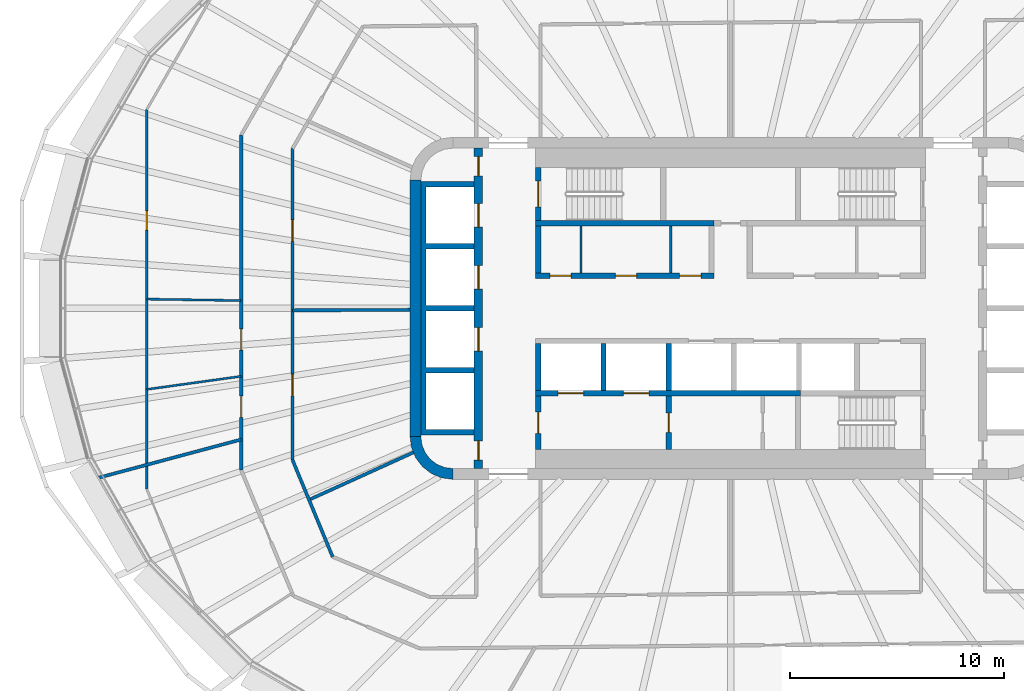
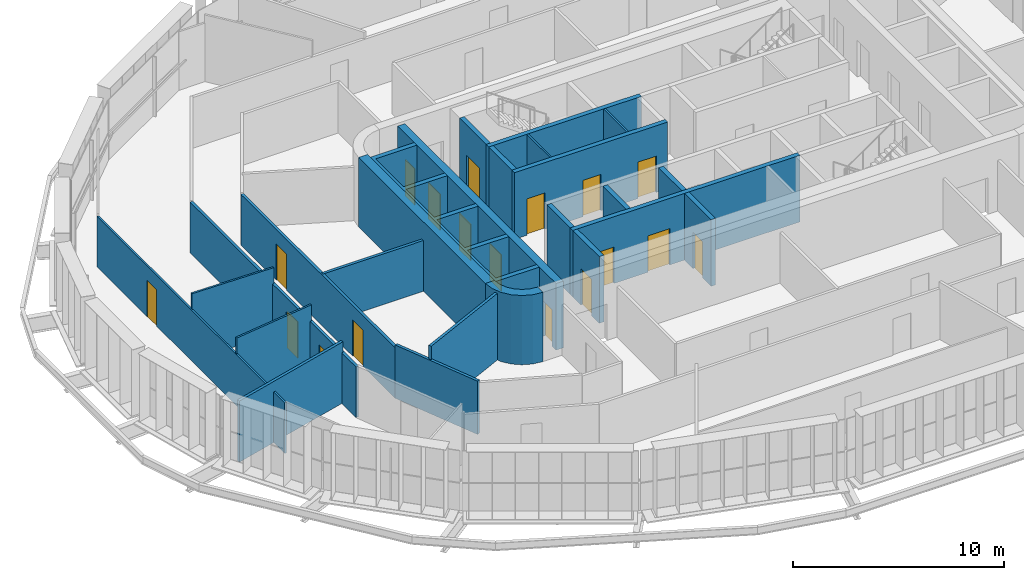
# One storey, part 12 of 23: 25 walls, 18 doors, 18 openings.
"""IFC4 building model written with IfcOpenShell, lengths in metres."""

from ifc_helpers import new_model, si_unit, direction, frame, frame_2d, origin, place, context, subcontext, project, spatial, polyline, rectangle, outline, extrude, material, layer, layer_set, type_object, element, fill, save


model = new_model("IFC4")

# Units and contexts
model_context = context("Model", 3, precision=1e-05, world=origin(), true_north=direction((0.0, 1.0)))
body_context = subcontext(model_context, "Body", "Model", "MODEL_VIEW")
ifc_project = project(units=[si_unit("LENGTHUNIT", "METRE"), si_unit("AREAUNIT", "SQUARE_METRE"), si_unit("VOLUMEUNIT", "CUBIC_METRE"), si_unit("PLANEANGLEUNIT", "RADIAN"), si_unit("MASSUNIT", "GRAM", prefix="KILO")], contexts=[model_context])

# Site, building, storey
site_placement = place(None, origin())
site = spatial("IfcSite", under=ifc_project, at=site_placement, CompositionType="ELEMENT")
building_placement = place(site_placement, origin())
building = spatial("IfcBuilding", under=site, at=building_placement, Name="Sahrelin Media Tower", CompositionType="ELEMENT")
storey_placement = place(building_placement, frame((0.0, 0.0, 161.60009765625)))
storey = spatial("IfcBuildingStorey", under=building, at=storey_placement, Name="L33", CompositionType="ELEMENT", Elevation=161.60009765625)

# Walls
ifc_material_1 = material(Name="Concrete C60/75", Category="concrete")
ifc_layer_1 = layer(ifc_material_1, 0.5)
ifc_layer_set_1 = layer_set([ifc_layer_1], Name="Core wall 500")
wall_type_1 = type_object("IfcWallType", Name="Core wall 500", PredefinedType="SHEAR", material=ifc_layer_set_1)
wall_1_placement = place(storey_placement, frame((-14.75, -6.0, 0.0), z_axis=(0.0, 0.0, 1.0), x_axis=(0.0, 1.0, 0.0)))
element("IfcWall", 1, at=wall_1_placement, inside=storey, type_object=wall_type_1, Name="Core wall W L33", PredefinedType="SHEAR", context=body_context, shape_type="SweptSolid", body=[
    extrude(rectangle(XDim=12.0, YDim=0.5, at=frame_2d((6.0, 0.0))), origin(), (0.0, 0.0, 1.0), 4.0),
])
placement = place(storey_placement, origin())
element("IfcWall", 2, at=placement, inside=storey, type_object=wall_type_1, Name="Core wall corner SW L33", PredefinedType="SHEAR", context=body_context, shape_type="SweptSolid", body=[
    extrude(outline(polyline([(-13.0, -8.0), (-13.0, -7.49560546875), (-13.38720703125, -7.44482421875), (-13.747802734375, -7.29541015625), (-14.0576171875, -7.0576171875), (-14.29541015625, -6.747802734375), (-14.44482421875, -6.38720703125), (-14.49560546875, -6.0), (-15.0, -6.0), (-14.931884765625, -6.517578125), (-14.732177734375, -7.0), (-14.414306640625, -7.414306640625), (-14.0, -7.732177734375), (-13.517578125, -7.931884765625), (-13.0, -8.0)])), origin(), (0.0, 0.0, 1.0), 4.0),
])

# Wall, openings, doors
ifc_material_2 = material(Name="Fire-rated gypsum board partition")
ifc_layer_2 = layer(ifc_material_2, 0.25)
ifc_layer_set_2 = layer_set([ifc_layer_2], Name="Fire-rated lobby wall 250")
wall_type_2 = type_object("IfcWallType", Name="Fire-rated lobby wall 250", PredefinedType="PARTITIONING", material=ifc_layer_set_2)
wall_3_placement = place(storey_placement, frame((-9.125, 1.52490234375, 0.0), z_axis=(0.0, 0.0, 1.0), x_axis=(1.0, 0.0, 0.0)))
wall_3 = element("IfcWall", 3, at=wall_3_placement, inside=storey, type_object=wall_type_2, Name="Core lobby wall", PredefinedType="PARTITIONING", context=body_context, shape_type="SweptSolid", body=[
    extrude(rectangle(XDim=8.35009765625, YDim=0.25, at=frame_2d((4.175048828125, 0.0))), origin(), (0.0, 0.0, 1.0), 3.849853515625),
])
opening_1_placement = place(wall_3_placement, frame((0.66259765625, 0.0, 0.0)))
opening_1 = element("IfcOpeningElement", 4, at=opening_1_placement, cuts=wall_3, Name="Opening L33-D08", PredefinedType="OPENING", context=body_context, shape_type="SweptSolid", body=[
    extrude(rectangle(XDim=1.0, YDim=2.10009765625, at=frame_2d((0.5, 1.050048828125))), frame((0.0, 0.125, 0.0), z_axis=(0.0, -1.0, 0.0), x_axis=(1.0, 0.0, 0.0)), (0.0, 0.0, 1.0), 0.25),
])
opening_2_placement = place(wall_3_placement, frame((3.72509765625, 0.0, 0.0)))
opening_2 = element("IfcOpeningElement", 5, at=opening_2_placement, cuts=wall_3, Name="Opening L33-D09", PredefinedType="OPENING", context=body_context, shape_type="SweptSolid", body=[
    extrude(rectangle(XDim=1.0, YDim=2.10009765625, at=frame_2d((0.5, 1.050048828125))), frame((0.0, 0.125, 0.0), z_axis=(0.0, -1.0, 0.0), x_axis=(1.0, 0.0, 0.0)), (0.0, 0.0, 1.0), 0.25),
])
opening_3_placement = place(wall_3_placement, frame((6.737548828125, 0.0, 0.0)))
opening_3 = element("IfcOpeningElement", 6, at=opening_3_placement, cuts=wall_3, Name="Opening L33-D10", PredefinedType="OPENING", context=body_context, shape_type="SweptSolid", body=[
    extrude(rectangle(XDim=1.0, YDim=2.10009765625, at=frame_2d((0.5, 1.050048828125))), frame((0.0, 0.125, 0.0), z_axis=(0.0, -1.0, 0.0), x_axis=(1.0, 0.0, 0.0)), (0.0, 0.0, 1.0), 0.25),
])
ifc_material_3 = material(Name="Steel fire door leaf", Category="steel")
door_type_1 = type_object("IfcDoorType", Name="Fire door 1000 x 2100 EI 60", OperationType="NOTDEFINED", PredefinedType="DOOR", material=ifc_material_3)
door_1_placement = place(opening_1_placement, origin())
door_1 = element("IfcDoor", 7, at=door_1_placement, inside=storey, type_object=door_type_1, Name="Core room door", OperationType="SINGLE_SWING_LEFT", OverallHeight=2.10009765625, OverallWidth=1.0, PredefinedType="DOOR", context=body_context, shape_type="SweptSolid", body=[
    extrude(rectangle(XDim=1.0, YDim=2.10009765625, at=frame_2d((0.5, 1.050048828125))), frame((0.0, 0.02490234375, 0.0), z_axis=(0.0, -1.0, 0.0), x_axis=(1.0, 0.0, 0.0)), (0.0, 0.0, 1.0), 0.050048828125),
])
fill(opening_1, door_1)
door_2_placement = place(opening_2_placement, origin())
door_2 = element("IfcDoor", 8, at=door_2_placement, inside=storey, type_object=door_type_1, Name="Core room door", OperationType="SINGLE_SWING_LEFT", OverallHeight=2.10009765625, OverallWidth=1.0, PredefinedType="DOOR", context=body_context, shape_type="SweptSolid", body=[
    extrude(rectangle(XDim=1.0, YDim=2.10009765625, at=frame_2d((0.5, 1.050048828125))), frame((0.0, 0.02490234375, 0.0), z_axis=(0.0, -1.0, 0.0), x_axis=(1.0, 0.0, 0.0)), (0.0, 0.0, 1.0), 0.050048828125),
])
fill(opening_2, door_2)
door_3_placement = place(opening_3_placement, origin())
door_3 = element("IfcDoor", 9, at=door_3_placement, inside=storey, type_object=door_type_1, Name="Core room door", OperationType="SINGLE_SWING_LEFT", OverallHeight=2.10009765625, OverallWidth=1.0, PredefinedType="DOOR", context=body_context, shape_type="SweptSolid", body=[
    extrude(rectangle(XDim=1.0, YDim=2.10009765625, at=frame_2d((0.5, 1.050048828125))), frame((0.0, 0.02490234375, 0.0), z_axis=(0.0, -1.0, 0.0), x_axis=(1.0, 0.0, 0.0)), (0.0, 0.0, 1.0), 0.050048828125),
])
fill(opening_3, door_3)

# Walls
wall_4_placement = place(storey_placement, frame((-9.0, 1.64990234375, 0.0), z_axis=(0.0, 0.0, 1.0), x_axis=(0.0, 1.0, 0.0)))
element("IfcWall", 10, at=wall_4_placement, inside=storey, type_object=wall_type_2, Name="Core lobby wall", PredefinedType="PARTITIONING", context=body_context, shape_type="SweptSolid", body=[
    extrude(rectangle(XDim=2.2001953125, YDim=0.25, at=frame_2d((1.10009765625, 0.0))), origin(), (0.0, 0.0, 1.0), 3.849853515625),
])
ifc_layer_3 = layer(ifc_material_2, 0.10009765625)
ifc_layer_set_3 = layer_set([ifc_layer_3], Name="Fire-rated partition 100")
wall_type_3 = type_object("IfcWallType", Name="Fire-rated partition 100", PredefinedType="PARTITIONING", material=ifc_layer_set_3)
for number, where, z_axis, x_axis, name in (
    (11, (-7.0, 1.64990234375, 0.0), (0.0, 0.0, 1.0), (0.0, 1.0, 0.0), "Core room partition"),
    (12, (-2.800048828125, 1.64990234375, 0.0), (0.0, 0.0, 1.0), (0.0, 1.0, 0.0), "Core room partition"),
):
    element("IfcWall", number, at=place(storey_placement, frame(where, z_axis=z_axis, x_axis=x_axis)), inside=storey, type_object=wall_type_3, Name=name, PredefinedType="PARTITIONING", context=body_context, shape_type="SweptSolid", body=[
        extrude(rectangle(XDim=2.2001953125, YDim=0.10009765625, at=frame_2d((1.10009765625, 0.0))), origin(), (0.0, 0.0, 1.0), 3.849853515625),
    ])
ifc_layer_4 = layer(ifc_material_2, 0.14990234375)
ifc_layer_set_4 = layer_set([ifc_layer_4], Name="Fire-rated partition 150")
wall_type_4 = type_object("IfcWallType", Name="Fire-rated partition 150", PredefinedType="PARTITIONING", material=ifc_layer_set_4)
wall_5_placement = place(storey_placement, frame((-20.5, -7.094970703125, 0.0), z_axis=(0.0, 0.0, 1.0), x_axis=(0.382878184095, -0.923798839653, 0.0)))
element("IfcWall", 13, at=wall_5_placement, inside=storey, type_object=wall_type_4, Name="Wall", PredefinedType="PARTITIONING", context=body_context, shape_type="SweptSolid", body=[
    extrude(rectangle(XDim=4.901611328125, YDim=0.14990234375, at=frame_2d((2.45068359375, 0.0))), origin(), (0.0, 0.0, 1.0), 3.075927734375),
])
wall_6_placement = place(storey_placement, frame((-20.5, -0.093994140625, 0.0), z_axis=(0.0, 0.0, 1.0), x_axis=(0.999990148138, 0.004438876723, 0.0)))
element("IfcWall", 14, at=wall_6_placement, inside=storey, type_object=wall_type_4, Name="Wall", PredefinedType="PARTITIONING", context=body_context, shape_type="SweptSolid", body=[
    extrude(rectangle(XDim=5.5, YDim=0.14990234375, at=frame_2d((2.75, 0.0))), origin(), (0.0, 0.0, 1.0), 2.927001953125),
])
wall_7_placement = place(storey_placement, frame((-29.591064453125, -7.928955078125, 0.0), z_axis=(0.0, 0.0, 1.0), x_axis=(0.965911864238, 0.258871146567, 0.0)))
element("IfcWall", 15, at=wall_7_placement, inside=storey, type_object=wall_type_4, Name="Wall", PredefinedType="PARTITIONING", context=body_context, shape_type="SweptSolid", body=[
    extrude(rectangle(XDim=6.927001953125, YDim=0.14990234375, at=frame_2d((3.46337890625, 0.0))), origin(), (0.0, 0.0, 1.0), 3.526611328125),
])
wall_8_placement = place(storey_placement, frame((-19.72802734375, -8.9580078125, 0.0), z_axis=(0.0, 0.0, 1.0), x_axis=(0.910629511797, 0.413223779863, 0.0)))
element("IfcWall", 16, at=wall_8_placement, inside=storey, type_object=wall_type_4, Name="Wall", PredefinedType="PARTITIONING", context=body_context, shape_type="SweptSolid", body=[
    extrude(rectangle(XDim=5.3681640625, YDim=0.14990234375, at=frame_2d((2.68408203125, 0.0))), origin(), (0.0, 0.0, 1.0), 3.849853515625),
])

# Wall, openings, doors
wall_9_placement = place(storey_placement, frame((-20.5, -7.094970703125, 0.0), z_axis=(0.0, 0.0, 1.0), x_axis=(0.0, 1.0, 0.0)))
wall_9 = element("IfcWall", 17, at=wall_9_placement, inside=storey, type_object=wall_type_4, Name="Wall", PredefinedType="PARTITIONING", context=body_context, shape_type="SweptSolid", body=[
    extrude(rectangle(XDim=14.569091796875, YDim=0.14990234375, at=frame_2d((7.28466796875, 0.0))), origin(), (0.0, 0.0, 1.0), 2.927001953125),
])
opening_4_placement = place(wall_9_placement, frame((10.234375, 0.0, 0.0)))
opening_4 = element("IfcOpeningElement", 18, at=opening_4_placement, cuts=wall_9, Name="Opening L33-D31", PredefinedType="OPENING", context=body_context, shape_type="SweptSolid", body=[
    extrude(rectangle(XDim=1.0, YDim=2.10009765625, at=frame_2d((0.5, 1.050048828125))), frame((0.0, 0.074951171875, 0.0), z_axis=(0.0, -1.0, 0.0), x_axis=(1.0, 0.0, 0.0)), (0.0, 0.0, 1.0), 0.14990234375),
])
opening_5_placement = place(wall_9_placement, frame((3.00048828125, 0.0, 0.0)))
opening_5 = element("IfcOpeningElement", 19, at=opening_5_placement, cuts=wall_9, Name="Opening L33-D32", PredefinedType="OPENING", context=body_context, shape_type="SweptSolid", body=[
    extrude(rectangle(XDim=1.0, YDim=2.10009765625, at=frame_2d((0.5, 1.050048828125))), frame((0.0, 0.074951171875, 0.0), z_axis=(0.0, -1.0, 0.0), x_axis=(1.0, 0.0, 0.0)), (0.0, 0.0, 1.0), 0.14990234375),
])
door_4_placement = place(opening_4_placement, origin())
door_4 = element("IfcDoor", 20, at=door_4_placement, inside=storey, type_object=door_type_1, Name="Fire door", OperationType="SINGLE_SWING_RIGHT", OverallHeight=2.10009765625, OverallWidth=1.0, PredefinedType="DOOR", context=body_context, shape_type="SweptSolid", body=[
    extrude(rectangle(XDim=1.0, YDim=2.10009765625, at=frame_2d((0.5, 1.050048828125))), frame((0.0, 0.02490234375, 0.0), z_axis=(0.0, -1.0, 0.0), x_axis=(1.0, 0.0, 0.0)), (0.0, 0.0, 1.0), 0.050048828125),
])
fill(opening_4, door_4)
door_5_placement = place(opening_5_placement, origin())
door_5 = element("IfcDoor", 21, at=door_5_placement, inside=storey, type_object=door_type_1, Name="Fire door", OperationType="SINGLE_SWING_LEFT", OverallHeight=2.10009765625, OverallWidth=1.0, PredefinedType="DOOR", context=body_context, shape_type="SweptSolid", body=[
    extrude(rectangle(XDim=1.0, YDim=2.10009765625, at=frame_2d((0.5, 1.050048828125))), frame((0.0, 0.02490234375, 0.0), z_axis=(0.0, -1.0, 0.0), x_axis=(1.0, 0.0, 0.0)), (0.0, 0.0, 1.0), 0.050048828125),
])
fill(opening_5, door_5)

wall_10_placement = place(storey_placement, frame((-22.89990234375, -7.572021484375, 0.0), z_axis=(0.0, 0.0, 1.0), x_axis=(0.0, 1.0, 0.0)))
wall_10 = element("IfcWall", 22, at=wall_10_placement, inside=storey, type_object=wall_type_4, Name="Wall", PredefinedType="PARTITIONING", context=body_context, shape_type="SweptSolid", body=[
    extrude(rectangle(XDim=15.68896484375, YDim=0.14990234375, at=frame_2d((7.844482421875, 0.0))), origin(), (0.0, 0.0, 1.0), 2.927001953125),
])
opening_6_placement = place(wall_10_placement, frame((5.6123046875, 0.0, 0.0)))
opening_6 = element("IfcOpeningElement", 23, at=opening_6_placement, cuts=wall_10, Name="Opening L33-D36", PredefinedType="OPENING", context=body_context, shape_type="SweptSolid", body=[
    extrude(rectangle(XDim=1.0, YDim=2.10009765625, at=frame_2d((0.5, 1.050048828125))), frame((0.0, 0.074951171875, 0.0), z_axis=(0.0, -1.0, 0.0), x_axis=(1.0, 0.0, 0.0)), (0.0, 0.0, 1.0), 0.14990234375),
])
opening_7_placement = place(wall_10_placement, frame((2.468505859375, 0.0, 0.0)))
opening_7 = element("IfcOpeningElement", 24, at=opening_7_placement, cuts=wall_10, Name="Opening L33-D37", PredefinedType="OPENING", context=body_context, shape_type="SweptSolid", body=[
    extrude(rectangle(XDim=1.0, YDim=2.10009765625, at=frame_2d((0.5, 1.050048828125))), frame((0.0, 0.074951171875, 0.0), z_axis=(0.0, -1.0, 0.0), x_axis=(1.0, 0.0, 0.0)), (0.0, 0.0, 1.0), 0.14990234375),
])
door_6_placement = place(opening_6_placement, origin())
door_6 = element("IfcDoor", 25, at=door_6_placement, inside=storey, type_object=door_type_1, Name="Fire door", OperationType="SINGLE_SWING_RIGHT", OverallHeight=2.10009765625, OverallWidth=1.0, PredefinedType="DOOR", context=body_context, shape_type="SweptSolid", body=[
    extrude(rectangle(XDim=1.0, YDim=2.10009765625, at=frame_2d((0.5, 1.050048828125))), frame((0.0, 0.02490234375, 0.0), z_axis=(0.0, -1.0, 0.0), x_axis=(1.0, 0.0, 0.0)), (0.0, 0.0, 1.0), 0.050048828125),
])
fill(opening_6, door_6)
door_7_placement = place(opening_7_placement, origin())
door_7 = element("IfcDoor", 26, at=door_7_placement, inside=storey, type_object=door_type_1, Name="Fire door", OperationType="SINGLE_SWING_LEFT", OverallHeight=2.10009765625, OverallWidth=1.0, PredefinedType="DOOR", context=body_context, shape_type="SweptSolid", body=[
    extrude(rectangle(XDim=1.0, YDim=2.10009765625, at=frame_2d((0.5, 1.050048828125))), frame((0.0, 0.02490234375, 0.0), z_axis=(0.0, -1.0, 0.0), x_axis=(1.0, 0.0, 0.0)), (0.0, 0.0, 1.0), 0.050048828125),
])
fill(opening_7, door_7)

# Wall, opening, door
ifc_layer_5 = layer(ifc_material_2, 0.25)
ifc_layer_set_5 = layer_set([ifc_layer_5], Name="Firefighting lobby wall 250")
wall_type_5 = type_object("IfcWallType", Name="Firefighting lobby wall 250", PredefinedType="PARTITIONING", material=ifc_layer_set_5)
wall_11_placement = place(storey_placement, frame((-9.0, -6.60009765625, 0.0), z_axis=(0.0, 0.0, 1.0), x_axis=(0.0, 1.0, 0.0)))
wall_11 = element("IfcWall", 27, at=wall_11_placement, inside=storey, type_object=wall_type_5, Name="Core wall", PredefinedType="PARTITIONING", context=body_context, shape_type="SweptSolid", body=[
    extrude(rectangle(XDim=2.5, YDim=0.25, at=frame_2d((1.25, 0.0))), origin(), (0.0, 0.0, 1.0), 3.849853515625),
])
opening_8_placement = place(wall_11_placement, frame((0.75, 0.0, 0.0)))
opening_8 = element("IfcOpeningElement", 28, at=opening_8_placement, cuts=wall_11, Name="Opening L33-D04", PredefinedType="OPENING", context=body_context, shape_type="SweptSolid", body=[
    extrude(rectangle(XDim=1.0, YDim=2.10009765625, at=frame_2d((0.5, 1.050048828125))), frame((0.0, 0.125, 0.0), z_axis=(0.0, -1.0, 0.0), x_axis=(1.0, 0.0, 0.0)), (0.0, 0.0, 1.0), 0.25),
])
door_type_2 = type_object("IfcDoorType", Name="Firefighting lobby door 1000 x 2100 EI 120", OperationType="NOTDEFINED", PredefinedType="DOOR", material=ifc_material_3)
door_8_placement = place(opening_8_placement, origin())
door_8 = element("IfcDoor", 29, at=door_8_placement, inside=storey, type_object=door_type_2, Name="Firefighting lobby door", OperationType="SINGLE_SWING_LEFT", OverallHeight=2.10009765625, OverallWidth=1.0, PredefinedType="DOOR", context=body_context, shape_type="SweptSolid", body=[
    extrude(rectangle(XDim=1.0, YDim=2.10009765625, at=frame_2d((0.5, 1.050048828125))), frame((0.0, 0.02490234375, 0.0), z_axis=(0.0, -1.0, 0.0), x_axis=(1.0, 0.0, 0.0)), (0.0, 0.0, 1.0), 0.050048828125),
])
fill(opening_8, door_8)

wall_12_placement = place(storey_placement, frame((-2.89990234375, -6.60009765625, 0.0), z_axis=(0.0, 0.0, 1.0), x_axis=(0.0, 1.0, 0.0)))
wall_12 = element("IfcWall", 30, at=wall_12_placement, inside=storey, type_object=wall_type_5, Name="Core wall", PredefinedType="PARTITIONING", context=body_context, shape_type="SweptSolid", body=[
    extrude(rectangle(XDim=2.5, YDim=0.25, at=frame_2d((1.25, 0.0))), origin(), (0.0, 0.0, 1.0), 3.849853515625),
])
opening_9_placement = place(wall_12_placement, frame((0.800048828125, 0.0, 0.0)))
opening_9 = element("IfcOpeningElement", 31, at=opening_9_placement, cuts=wall_12, Name="Opening L33-D05", PredefinedType="OPENING", context=body_context, shape_type="SweptSolid", body=[
    extrude(rectangle(XDim=0.89990234375, YDim=2.10009765625, at=frame_2d((0.449951171875, 1.050048828125))), frame((0.0, 0.125, 0.0), z_axis=(0.0, -1.0, 0.0), x_axis=(1.0, 0.0, 0.0)), (0.0, 0.0, 1.0), 0.25),
])
door_type_3 = type_object("IfcDoorType", Name="Firefighting lobby door 900 x 2100 EI 120", OperationType="NOTDEFINED", PredefinedType="DOOR", material=ifc_material_3)
door_9_placement = place(opening_9_placement, origin())
door_9 = element("IfcDoor", 32, at=door_9_placement, inside=storey, type_object=door_type_3, Name="Riser door", OperationType="SINGLE_SWING_RIGHT", OverallHeight=2.10009765625, OverallWidth=0.89990234375, PredefinedType="DOOR", context=body_context, shape_type="SweptSolid", body=[
    extrude(rectangle(XDim=0.89990234375, YDim=2.10009765625, at=frame_2d((0.449951171875, 1.050048828125))), frame((0.0, 0.02490234375, 0.0), z_axis=(0.0, -1.0, 0.0), x_axis=(1.0, 0.0, 0.0)), (0.0, 0.0, 1.0), 0.050048828125),
])
fill(opening_9, door_9)

# Wall, openings, doors
ifc_layer_6 = layer(ifc_material_1, 0.25)
ifc_layer_set_6 = layer_set([ifc_layer_6], Name="Lift shaft wall 250")
wall_type_6 = type_object("IfcWallType", Name="Lift shaft wall 250", PredefinedType="SOLIDWALL", material=ifc_layer_set_6)
wall_13_placement = place(storey_placement, frame((-9.125, -3.97509765625, 0.0), z_axis=(0.0, 0.0, 1.0), x_axis=(1.0, 0.0, 0.0)))
wall_13 = element("IfcWall", 33, at=wall_13_placement, inside=storey, type_object=wall_type_6, Name="Lift shaft wall", PredefinedType="SOLIDWALL", context=body_context, shape_type="SweptSolid", body=[
    extrude(rectangle(XDim=12.39990234375, YDim=0.25, at=frame_2d((6.199951171875, 0.0))), origin(), (0.0, 0.0, 1.0), 3.849853515625),
])
opening_10_placement = place(wall_13_placement, frame((1.050048828125, 0.0, 0.0)))
opening_10 = element("IfcOpeningElement", 34, at=opening_10_placement, cuts=wall_13, Name="Opening L33-LD-FF1", PredefinedType="OPENING", context=body_context, shape_type="SweptSolid", body=[
    extrude(rectangle(XDim=1.199951171875, YDim=2.10009765625, at=frame_2d((0.60009765625, 1.050048828125))), frame((0.0, 0.125, 0.0), z_axis=(0.0, -1.0, 0.0), x_axis=(1.0, 0.0, 0.0)), (0.0, 0.0, 1.0), 0.25),
])
opening_11_placement = place(wall_13_placement, frame((4.10009765625, 0.0, 0.0)))
opening_11 = element("IfcOpeningElement", 35, at=opening_11_placement, cuts=wall_13, Name="Opening L33-LD-FF2", PredefinedType="OPENING", context=body_context, shape_type="SweptSolid", body=[
    extrude(rectangle(XDim=1.199951171875, YDim=2.10009765625, at=frame_2d((0.60009765625, 1.050048828125))), frame((0.0, 0.125, 0.0), z_axis=(0.0, -1.0, 0.0), x_axis=(1.0, 0.0, 0.0)), (0.0, 0.0, 1.0), 0.25),
])
ifc_material_4 = material(Name="Stainless steel", Category="steel")
door_type_4 = type_object("IfcDoorType", Name="Lift landing door 1200 x 2100 EI 120", OperationType="DOUBLE_DOOR_SLIDING", PredefinedType="DOOR", material=ifc_material_4)
door_10_placement = place(opening_10_placement, origin())
door_10 = element("IfcDoor", 36, at=door_10_placement, inside=storey, type_object=door_type_4, Name="Lift landing door FF1", OperationType="DOUBLE_DOOR_SLIDING", OverallHeight=2.10009765625, OverallWidth=1.199951171875, PredefinedType="DOOR", context=body_context, shape_type="SweptSolid", body=[
    extrude(rectangle(XDim=1.199951171875, YDim=2.10009765625, at=frame_2d((0.60009765625, 1.050048828125))), frame((0.0, 0.02490234375, 0.0), z_axis=(0.0, -1.0, 0.0), x_axis=(1.0, 0.0, 0.0)), (0.0, 0.0, 1.0), 0.050048828125),
])
fill(opening_10, door_10)
door_11_placement = place(opening_11_placement, origin())
door_11 = element("IfcDoor", 37, at=door_11_placement, inside=storey, type_object=door_type_4, Name="Lift landing door FF2", OperationType="DOUBLE_DOOR_SLIDING", OverallHeight=2.10009765625, OverallWidth=1.199951171875, PredefinedType="DOOR", context=body_context, shape_type="SweptSolid", body=[
    extrude(rectangle(XDim=1.199951171875, YDim=2.10009765625, at=frame_2d((0.60009765625, 1.050048828125))), frame((0.0, 0.02490234375, 0.0), z_axis=(0.0, -1.0, 0.0), x_axis=(1.0, 0.0, 0.0)), (0.0, 0.0, 1.0), 0.050048828125),
])
fill(opening_11, door_11)

# Walls
for number, where, z_axis, x_axis, name in (
    (38, (-9.0, -3.85009765625, 0.0), (0.0, 0.0, 1.0), (0.0, 1.0, 0.0), "Lift shaft wall"),
    (39, (-5.949951171875, -3.85009765625, 0.0), (0.0, 0.0, 1.0), (0.0, 1.0, 0.0), "Lift shaft wall"),
    (40, (-2.89990234375, -3.85009765625, 0.0), (0.0, 0.0, 1.0), (0.0, 1.0, 0.0), "Lift shaft wall"),
):
    element("IfcWall", number, at=place(storey_placement, frame(where, z_axis=z_axis, x_axis=x_axis)), inside=storey, type_object=wall_type_6, Name=name, PredefinedType="SOLIDWALL", context=body_context, shape_type="SweptSolid", body=[
        extrude(rectangle(XDim=2.2001953125, YDim=0.25, at=frame_2d((1.10009765625, 0.0))), origin(), (0.0, 0.0, 1.0), 3.849853515625),
    ])
element("IfcWall", 41, at=placement, inside=storey, type_object=wall_type_6, Name="Lift shaft wall", PredefinedType="SOLIDWALL", context=body_context, shape_type="SweptSolid", body=[
    extrude(outline(polyline([(-12.0, -5.925048828125), (-12.0, -5.675048828125), (-14.25, -5.675048828125), (-14.25, -3.02490234375), (-12.0, -3.02490234375), (-12.0, -2.77490234375), (-14.25, -2.77490234375), (-14.25, -0.125), (-12.0, -0.125), (-12.0, 0.125), (-14.25, 0.125), (-14.25, 2.77490234375), (-12.0, 2.77490234375), (-12.0, 3.02490234375), (-14.25, 3.02490234375), (-14.25, 5.675048828125), (-12.0, 5.675048828125), (-12.0, 5.925048828125), (-14.25, 5.925048828125), (-14.5, 5.925048828125), (-14.5, 5.675048828125), (-14.5, 3.02490234375), (-14.5, 2.77490234375), (-14.5, 0.125), (-14.5, -0.125), (-14.5, -2.77490234375), (-14.5, -3.02490234375), (-14.5, -5.675048828125), (-14.5, -5.925048828125), (-14.25, -5.925048828125), (-12.0, -5.925048828125)])), origin(), (0.0, 0.0, 1.0), 3.849853515625),
])

# Wall, openings, doors
ifc_layer_7 = layer(ifc_material_1, 0.39990234375)
ifc_layer_set_7 = layer_set([ifc_layer_7], Name="Lift shaft wall 400")
wall_type_7 = type_object("IfcWallType", Name="Lift shaft wall 400", PredefinedType="SOLIDWALL", material=ifc_layer_set_7)
wall_15_placement = place(storey_placement, frame((-11.800048828125, -7.5, 0.0), z_axis=(0.0, 0.0, 1.0), x_axis=(0.0, 1.0, 0.0)))
wall_15 = element("IfcWall", 42, at=wall_15_placement, inside=storey, type_object=wall_type_7, Name="Lift shaft wall", PredefinedType="SOLIDWALL", context=body_context, shape_type="SweptSolid", body=[
    extrude(rectangle(XDim=15.0, YDim=0.39990234375, at=frame_2d((7.5, 0.0))), origin(), (0.0, 0.0, 1.0), 3.849853515625),
])
opening_12_placement = place(wall_15_placement, frame((11.300048828125, 0.0, 0.0)))
opening_12 = element("IfcOpeningElement", 43, at=opening_12_placement, cuts=wall_15, Name="Opening L33-LD-LR1", PredefinedType="OPENING", context=body_context, shape_type="SweptSolid", body=[
    extrude(rectangle(XDim=1.10009765625, YDim=2.10009765625, at=frame_2d((0.550048828125, 1.050048828125))), frame((0.0, 0.199951171875, 0.0), z_axis=(0.0, -1.0, 0.0), x_axis=(1.0, 0.0, 0.0)), (0.0, 0.0, 1.0), 0.39990234375),
])
opening_13_placement = place(wall_15_placement, frame((8.39990234375, 0.0, 0.0)))
opening_13 = element("IfcOpeningElement", 44, at=opening_13_placement, cuts=wall_15, Name="Opening L33-LD-LR2", PredefinedType="OPENING", context=body_context, shape_type="SweptSolid", body=[
    extrude(rectangle(XDim=1.10009765625, YDim=2.10009765625, at=frame_2d((0.550048828125, 1.050048828125))), frame((0.0, 0.199951171875, 0.0), z_axis=(0.0, -1.0, 0.0), x_axis=(1.0, 0.0, 0.0)), (0.0, 0.0, 1.0), 0.39990234375),
])
opening_14_placement = place(wall_15_placement, frame((5.5, 0.0, 0.0)))
opening_14 = element("IfcOpeningElement", 45, at=opening_14_placement, cuts=wall_15, Name="Opening L33-LD-LR3", PredefinedType="OPENING", context=body_context, shape_type="SweptSolid", body=[
    extrude(rectangle(XDim=1.10009765625, YDim=2.10009765625, at=frame_2d((0.550048828125, 1.050048828125))), frame((0.0, 0.199951171875, 0.0), z_axis=(0.0, -1.0, 0.0), x_axis=(1.0, 0.0, 0.0)), (0.0, 0.0, 1.0), 0.39990234375),
])
opening_15_placement = place(wall_15_placement, frame((13.696533203125, 0.0, 0.0)))
opening_15 = element("IfcOpeningElement", 46, at=opening_15_placement, cuts=wall_15, Name="Opening L33-D14", PredefinedType="OPENING", context=body_context, shape_type="SweptSolid", body=[
    extrude(rectangle(XDim=0.89990234375, YDim=2.10009765625, at=frame_2d((0.449951171875, 1.050048828125))), frame((0.0, 0.199951171875, 0.0), z_axis=(0.0, -1.0, 0.0), x_axis=(1.0, 0.0, 0.0)), (0.0, 0.0, 1.0), 0.39990234375),
])
opening_16_placement = place(wall_15_placement, frame((0.4033203125, 0.0, 0.0)))
opening_16 = element("IfcOpeningElement", 47, at=opening_16_placement, cuts=wall_15, Name="Opening L33-D15", PredefinedType="OPENING", context=body_context, shape_type="SweptSolid", body=[
    extrude(rectangle(XDim=0.89990234375, YDim=2.10009765625, at=frame_2d((0.449951171875, 1.050048828125))), frame((0.0, 0.199951171875, 0.0), z_axis=(0.0, -1.0, 0.0), x_axis=(1.0, 0.0, 0.0)), (0.0, 0.0, 1.0), 0.39990234375),
])
door_type_5 = type_object("IfcDoorType", Name="Lift landing door 1100 x 2100 EI 120", OperationType="DOUBLE_DOOR_SLIDING", PredefinedType="DOOR", material=ifc_material_4)
door_12_placement = place(opening_12_placement, origin())
door_12 = element("IfcDoor", 48, at=door_12_placement, inside=storey, type_object=door_type_5, Name="Lift landing door LR1", OperationType="DOUBLE_DOOR_SLIDING", OverallHeight=2.10009765625, OverallWidth=1.10009765625, PredefinedType="DOOR", context=body_context, shape_type="SweptSolid", body=[
    extrude(rectangle(XDim=1.10009765625, YDim=2.10009765625, at=frame_2d((0.550048828125, 1.050048828125))), frame((0.0, 0.02490234375, 0.0), z_axis=(0.0, -1.0, 0.0), x_axis=(1.0, 0.0, 0.0)), (0.0, 0.0, 1.0), 0.050048828125),
])
fill(opening_12, door_12)
door_13_placement = place(opening_13_placement, origin())
door_13 = element("IfcDoor", 49, at=door_13_placement, inside=storey, type_object=door_type_5, Name="Lift landing door LR2", OperationType="DOUBLE_DOOR_SLIDING", OverallHeight=2.10009765625, OverallWidth=1.10009765625, PredefinedType="DOOR", context=body_context, shape_type="SweptSolid", body=[
    extrude(rectangle(XDim=1.10009765625, YDim=2.10009765625, at=frame_2d((0.550048828125, 1.050048828125))), frame((0.0, 0.02490234375, 0.0), z_axis=(0.0, -1.0, 0.0), x_axis=(1.0, 0.0, 0.0)), (0.0, 0.0, 1.0), 0.050048828125),
])
fill(opening_13, door_13)
door_14_placement = place(opening_14_placement, origin())
door_14 = element("IfcDoor", 50, at=door_14_placement, inside=storey, type_object=door_type_5, Name="Lift landing door LR3", OperationType="DOUBLE_DOOR_SLIDING", OverallHeight=2.10009765625, OverallWidth=1.10009765625, PredefinedType="DOOR", context=body_context, shape_type="SweptSolid", body=[
    extrude(rectangle(XDim=1.10009765625, YDim=2.10009765625, at=frame_2d((0.550048828125, 1.050048828125))), frame((0.0, 0.02490234375, 0.0), z_axis=(0.0, -1.0, 0.0), x_axis=(1.0, 0.0, 0.0)), (0.0, 0.0, 1.0), 0.050048828125),
])
fill(opening_14, door_14)
door_type_6 = type_object("IfcDoorType", Name="Riser door 900 x 2100 EI 120", OperationType="NOTDEFINED", PredefinedType="DOOR", material=ifc_material_3)
door_15_placement = place(opening_15_placement, origin())
door_15 = element("IfcDoor", 51, at=door_15_placement, inside=storey, type_object=door_type_6, Name="Riser door", OperationType="SINGLE_SWING_LEFT", OverallHeight=2.10009765625, OverallWidth=0.89990234375, PredefinedType="DOOR", context=body_context, shape_type="SweptSolid", body=[
    extrude(rectangle(XDim=0.89990234375, YDim=2.10009765625, at=frame_2d((0.449951171875, 1.050048828125))), frame((0.0, 0.02490234375, 0.0), z_axis=(0.0, -1.0, 0.0), x_axis=(1.0, 0.0, 0.0)), (0.0, 0.0, 1.0), 0.050048828125),
])
fill(opening_15, door_15)
door_16_placement = place(opening_16_placement, origin())
door_16 = element("IfcDoor", 52, at=door_16_placement, inside=storey, type_object=door_type_6, Name="Riser door", OperationType="SINGLE_SWING_LEFT", OverallHeight=2.10009765625, OverallWidth=0.89990234375, PredefinedType="DOOR", context=body_context, shape_type="SweptSolid", body=[
    extrude(rectangle(XDim=0.89990234375, YDim=2.10009765625, at=frame_2d((0.449951171875, 1.050048828125))), frame((0.0, 0.02490234375, 0.0), z_axis=(0.0, -1.0, 0.0), x_axis=(1.0, 0.0, 0.0)), (0.0, 0.0, 1.0), 0.050048828125),
])
fill(opening_16, door_16)

# Walls
ifc_material_5 = material(Name="Gypsum board partition")
ifc_layer_8 = layer(ifc_material_5, 0.10009765625)
ifc_layer_set_8 = layer_set([ifc_layer_8], Name="Partition 100")
wall_type_8 = type_object("IfcWallType", Name="Partition 100", PredefinedType="PARTITIONING", material=ifc_layer_set_8)
wall_16_placement = place(storey_placement, frame((-27.320068359375, 0.431884765625, 0.0), z_axis=(0.0, 0.0, 1.0), x_axis=(0.999878719173, -0.015573918741, 0.0)))
element("IfcWall", 53, at=wall_16_placement, inside=storey, type_object=wall_type_8, Name="Wall", PredefinedType="PARTITIONING", context=body_context, shape_type="SweptSolid", body=[
    extrude(rectangle(XDim=4.420654296875, YDim=0.10009765625, at=frame_2d((2.21044921875, 0.0))), origin(), (0.0, 0.0, 1.0), 3.849853515625),
])
wall_17_placement = place(storey_placement, frame((-27.320068359375, -3.7919921875, 0.0), z_axis=(0.0, 0.0, 1.0), x_axis=(0.990518967412, 0.137376035745, 0.0)))
element("IfcWall", 54, at=wall_17_placement, inside=storey, type_object=wall_type_8, Name="Wall", PredefinedType="PARTITIONING", context=body_context, shape_type="SweptSolid", body=[
    extrude(rectangle(XDim=4.46240234375, YDim=0.10009765625, at=frame_2d((2.231201171875, 0.0))), origin(), (0.0, 0.0, 1.0), 3.849853515625),
])

# Wall, opening, door
wall_18_placement = place(storey_placement, frame((-27.320068359375, -8.451904296875, 0.0), z_axis=(0.0, 0.0, 1.0), x_axis=(0.0, 1.0, 0.0)))
wall_18 = element("IfcWall", 55, at=wall_18_placement, inside=storey, type_object=wall_type_8, Name="Wall", PredefinedType="PARTITIONING", context=body_context, shape_type="SweptSolid", body=[
    extrude(rectangle(XDim=17.7529296875, YDim=0.10009765625, at=frame_2d((8.87646484375, 0.0))), origin(), (0.0, 0.0, 1.0), 2.927001953125),
])
opening_17_placement = place(wall_18_placement, frame((12.11083984375, 0.0, 0.0)))
opening_17 = element("IfcOpeningElement", 56, at=opening_17_placement, cuts=wall_18, Name="Opening L33-D38", PredefinedType="OPENING", context=body_context, shape_type="SweptSolid", body=[
    extrude(rectangle(XDim=0.89990234375, YDim=2.10009765625, at=frame_2d((0.449951171875, 1.050048828125))), frame((0.0, 0.050048828125, 0.0), z_axis=(0.0, -1.0, 0.0), x_axis=(1.0, 0.0, 0.0)), (0.0, 0.0, 1.0), 0.10009765625),
])
ifc_material_6 = material(Name="Timber door leaf", Category="wood")
door_type_7 = type_object("IfcDoorType", Name="Single door 900 x 2100", OperationType="NOTDEFINED", PredefinedType="DOOR", material=ifc_material_6)
door_17_placement = place(opening_17_placement, origin())
door_17 = element("IfcDoor", 57, at=door_17_placement, inside=storey, type_object=door_type_7, Name="Single door", OperationType="SINGLE_SWING_LEFT", OverallHeight=2.10009765625, OverallWidth=0.89990234375, PredefinedType="DOOR", context=body_context, shape_type="SweptSolid", body=[
    extrude(rectangle(XDim=0.89990234375, YDim=2.10009765625, at=frame_2d((0.449951171875, 1.050048828125))), frame((0.0, 0.02490234375, 0.0), z_axis=(0.0, -1.0, 0.0), x_axis=(1.0, 0.0, 0.0)), (0.0, 0.0, 1.0), 0.050048828125),
])
fill(opening_17, door_17)

ifc_layer_9 = layer(ifc_material_1, 0.25)
ifc_layer_set_9 = layer_set([ifc_layer_9], Name="Stair enclosure wall 250")
wall_type_9 = type_object("IfcWallType", Name="Stair enclosure wall 250", PredefinedType="SOLIDWALL", material=ifc_layer_set_9)
wall_19_placement = place(storey_placement, frame((-9.0, 4.10009765625, 0.0), z_axis=(0.0, 0.0, 1.0), x_axis=(0.0, 1.0, 0.0)))
wall_19 = element("IfcWall", 58, at=wall_19_placement, inside=storey, type_object=wall_type_9, Name="Stair enclosure wall", PredefinedType="SOLIDWALL", context=body_context, shape_type="SweptSolid", body=[
    extrude(rectangle(XDim=2.5, YDim=0.25, at=frame_2d((1.25, 0.0))), origin(), (0.0, 0.0, 1.0), 3.849853515625),
])
opening_18_placement = place(wall_19_placement, frame((0.64990234375, 0.0, 0.0)))
opening_18 = element("IfcOpeningElement", 59, at=opening_18_placement, cuts=wall_19, Name="Opening L33-D01", PredefinedType="OPENING", context=body_context, shape_type="SweptSolid", body=[
    extrude(rectangle(XDim=1.199951171875, YDim=2.10009765625, at=frame_2d((0.60009765625, 1.050048828125))), frame((0.0, 0.125, 0.0), z_axis=(0.0, -1.0, 0.0), x_axis=(1.0, 0.0, 0.0)), (0.0, 0.0, 1.0), 0.25),
])
door_type_8 = type_object("IfcDoorType", Name="Stair door 1200 x 2100 EI 120", OperationType="NOTDEFINED", PredefinedType="DOOR", material=ifc_material_3)
door_18_placement = place(opening_18_placement, origin())
door_18 = element("IfcDoor", 60, at=door_18_placement, inside=storey, type_object=door_type_8, Name="Stair door ST1", OperationType="SINGLE_SWING_RIGHT", OverallHeight=2.10009765625, OverallWidth=1.199951171875, PredefinedType="DOOR", context=body_context, shape_type="SweptSolid", body=[
    extrude(rectangle(XDim=1.199951171875, YDim=2.10009765625, at=frame_2d((0.60009765625, 1.050048828125))), frame((0.0, 0.02490234375, 0.0), z_axis=(0.0, -1.0, 0.0), x_axis=(1.0, 0.0, 0.0)), (0.0, 0.0, 1.0), 0.050048828125),
])
fill(opening_18, door_18)

# Wall
wall_20_placement = place(storey_placement, frame((-9.125, 3.97509765625, 0.0), z_axis=(0.0, 0.0, 1.0), x_axis=(1.0, 0.0, 0.0)))
element("IfcWall", 61, at=wall_20_placement, inside=storey, type_object=wall_type_9, Name="Stair enclosure wall", PredefinedType="SOLIDWALL", context=body_context, shape_type="SweptSolid", body=[
    extrude(rectangle(XDim=8.35009765625, YDim=0.25, at=frame_2d((4.175048828125, 0.0))), origin(), (0.0, 0.0, 1.0), 3.849853515625),
])

save(model, "model.ifc")
